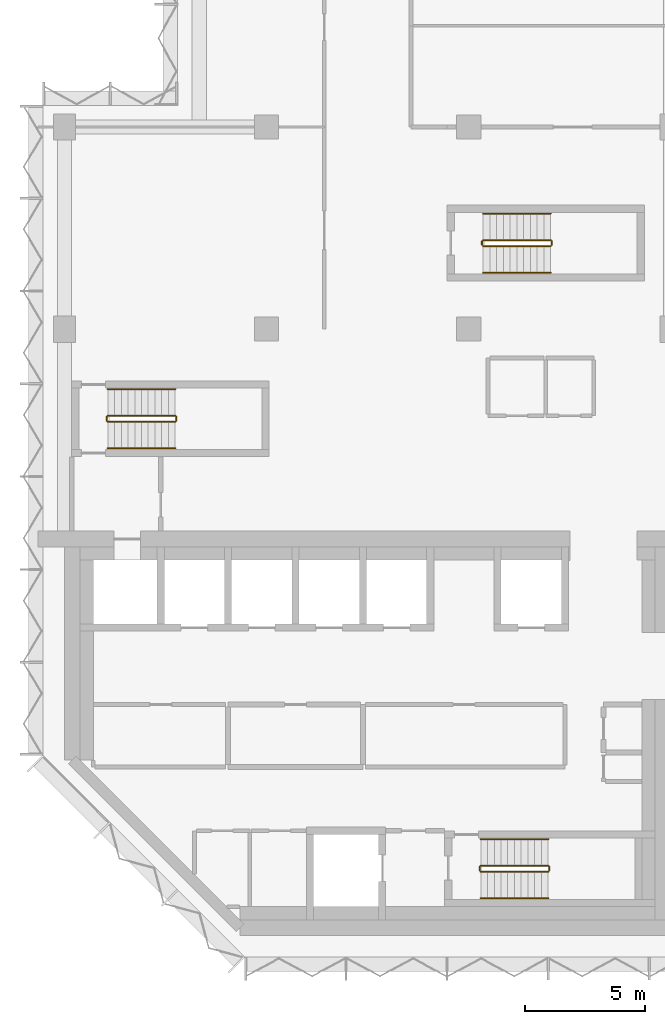
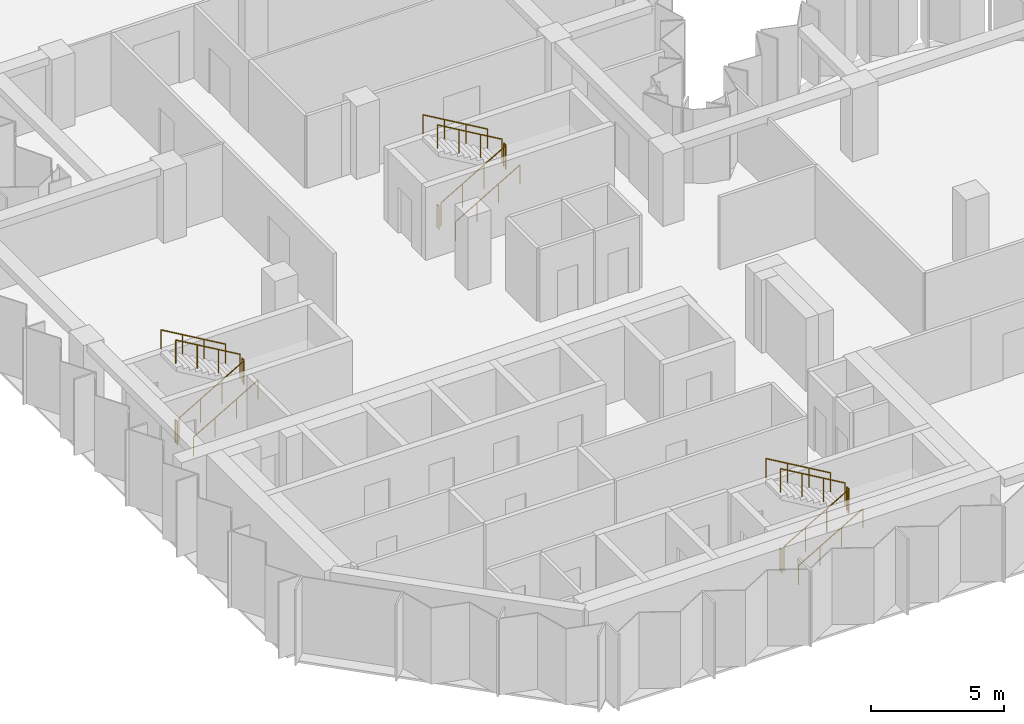
# One storey, part 12 of 14: 18 railings.
"""IFC4 building model written with IfcOpenShell, lengths in metres."""

from ifc_helpers import new_model, si_unit, direction, frame, origin, origin_2d, place, context, subcontext, project, spatial, circle, extrude, material, type_object, element, save


model = new_model("IFC4")

# Units and contexts
model_context = context("Model", 3, precision=1e-05, world=origin(), true_north=direction((0.0, 1.0)))
body_context = subcontext(model_context, "Body", "Model", "MODEL_VIEW")
ifc_project = project(units=[si_unit("LENGTHUNIT", "METRE"), si_unit("AREAUNIT", "SQUARE_METRE"), si_unit("VOLUMEUNIT", "CUBIC_METRE"), si_unit("PLANEANGLEUNIT", "RADIAN"), si_unit("MASSUNIT", "GRAM", prefix="KILO")], contexts=[model_context])

# Site, building, storey
site_placement = place(None, origin())
site = spatial("IfcSite", under=ifc_project, at=site_placement, CompositionType="ELEMENT")
building_placement = place(site_placement, origin())
building = spatial("IfcBuilding", under=site, at=building_placement, Name="Brevane Broadcast Tower", CompositionType="ELEMENT")
storey_placement = place(building_placement, frame((0.0, 0.0, 184.800048828125)))
storey = spatial("IfcBuildingStorey", under=building, at=storey_placement, Name="L46", CompositionType="ELEMENT", Elevation=184.800048828125)

# Railings
ifc_material = material(Name="Steel S355", Category="steel")
railing_type_1 = type_object("IfcRailingType", Name="Exit stair guard", PredefinedType="GUARDRAIL", material=ifc_material)
railing_1_placement = place(storey_placement, frame((1.800048828125, 21.35009765625, 0.16357421875)))
element("IfcRailing", 1, at=railing_1_placement, inside=storey, type_object=railing_type_1, Name="L46 ST-1 stair guard 1", PredefinedType="GUARDRAIL", context=body_context, shape_type="SweptSolid", body=[
    extrude(circle(Radius=0.02392578125, at=origin_2d()), frame((0.0, 0.0, 1.076171875), z_axis=(0.863360870873, 0.0, 0.504586966384), x_axis=(0.0, 1.0, 0.0)), (0.0, 0.0, 1.0), 3.2431640625),
    extrude(circle(Radius=0.02099609375, at=origin_2d()), origin(), (0.0, 0.0, 1.0), 1.052001953125),
    extrude(circle(Radius=0.02099609375, at=origin_2d()), frame((0.933349609375, 0.0, 0.54541015625)), (0.0, 0.0, 1.0), 1.052001953125),
    extrude(circle(Radius=0.02099609375, at=origin_2d()), frame((1.86669921875, 0.0, 1.091064453125)), (0.0, 0.0, 1.0), 1.052001953125),
    extrude(circle(Radius=0.02099609375, at=origin_2d()), frame((2.800048828125, 0.0, 1.636474609375)), (0.0, 0.0, 1.0), 1.052001953125),
])
railing_2_placement = place(storey_placement, frame((4.64990234375, 21.39990234375, 1.800048828125)))
element("IfcRailing", 2, at=railing_2_placement, inside=storey, type_object=railing_type_1, Name="L46 ST-1 stair guard 2", PredefinedType="GUARDRAIL", context=body_context, shape_type="SweptSolid", body=[
    extrude(circle(Radius=0.02392578125, at=origin_2d()), frame((0.0, 0.0, 1.076171875), z_axis=(0.0, 1.0, 0.0), x_axis=(-1.0, 0.0, 0.0)), (0.0, 0.0, 1.0), 0.150146484375),
    extrude(circle(Radius=0.02099609375, at=origin_2d()), origin(), (0.0, 0.0, 1.0), 1.052001953125),
    extrude(circle(Radius=0.02099609375, at=origin_2d()), frame((0.0, 0.150146484375, 0.0)), (0.0, 0.0, 1.0), 1.052001953125),
])
railing_3_placement = place(storey_placement, frame((4.60009765625, 21.60009765625, 1.963623046875)))
element("IfcRailing", 3, at=railing_3_placement, inside=storey, type_object=railing_type_1, Name="L46 ST-1 stair guard 3", PredefinedType="GUARDRAIL", context=body_context, shape_type="SweptSolid", body=[
    extrude(circle(Radius=0.02392578125, at=origin_2d()), frame((0.0, 0.0, 1.076171875), z_axis=(-0.863393664356, 0.0, 0.504530851732), x_axis=(0.0, -1.0, 0.0)), (0.0, 0.0, 1.0), 3.2431640625),
    extrude(circle(Radius=0.02099609375, at=origin_2d()), origin(), (0.0, 0.0, 1.0), 1.052001953125),
    extrude(circle(Radius=0.02099609375, at=origin_2d()), frame((-0.933349609375, 0.0, 0.54541015625)), (0.0, 0.0, 1.0), 1.052001953125),
    extrude(circle(Radius=0.02099609375, at=origin_2d()), frame((-1.86669921875, 0.0, 1.0908203125)), (0.0, 0.0, 1.0), 1.052001953125),
    extrude(circle(Radius=0.02099609375, at=origin_2d()), frame((-2.800048828125, 0.0, 1.63623046875)), (0.0, 0.0, 1.0), 1.052001953125),
])
railing_4_placement = place(storey_placement, frame((1.75, 21.39990234375, 0.0)))
element("IfcRailing", 4, at=railing_4_placement, inside=storey, type_object=railing_type_1, Name="L46 ST-1 stair guard 4", PredefinedType="GUARDRAIL", context=body_context, shape_type="SweptSolid", body=[
    extrude(circle(Radius=0.02392578125, at=origin_2d()), frame((0.0, 0.0, 1.076171875), z_axis=(0.0, 1.0, 0.0), x_axis=(-1.0, 0.0, 0.0)), (0.0, 0.0, 1.0), 0.150146484375),
    extrude(circle(Radius=0.02099609375, at=origin_2d()), origin(), (0.0, 0.0, 1.0), 1.052001953125),
    extrude(circle(Radius=0.02099609375, at=origin_2d()), frame((0.0, 0.150146484375, 0.0)), (0.0, 0.0, 1.0), 1.052001953125),
])
railing_5_placement = place(storey_placement, frame((17.300048828125, 2.64990234375, 0.16357421875)))
element("IfcRailing", 5, at=railing_5_placement, inside=storey, type_object=railing_type_1, Name="L46 ST-2 stair guard 1", PredefinedType="GUARDRAIL", context=body_context, shape_type="SweptSolid", body=[
    extrude(circle(Radius=0.02392578125, at=origin_2d()), frame((0.0, 0.0, 1.076171875), z_axis=(0.863360870873, 0.0, 0.504586966384), x_axis=(0.0, 1.0, 0.0)), (0.0, 0.0, 1.0), 3.2431640625),
    extrude(circle(Radius=0.02099609375, at=origin_2d()), origin(), (0.0, 0.0, 1.0), 1.052001953125),
    extrude(circle(Radius=0.02099609375, at=origin_2d()), frame((0.933349609375, 0.0, 0.54541015625)), (0.0, 0.0, 1.0), 1.052001953125),
    extrude(circle(Radius=0.02099609375, at=origin_2d()), frame((1.86669921875, 0.0, 1.091064453125)), (0.0, 0.0, 1.0), 1.052001953125),
    extrude(circle(Radius=0.02099609375, at=origin_2d()), frame((2.800048828125, 0.0, 1.636474609375)), (0.0, 0.0, 1.0), 1.052001953125),
])
railing_6_placement = place(storey_placement, frame((20.14990234375, 2.699951171875, 1.800048828125)))
element("IfcRailing", 6, at=railing_6_placement, inside=storey, type_object=railing_type_1, Name="L46 ST-2 stair guard 2", PredefinedType="GUARDRAIL", context=body_context, shape_type="SweptSolid", body=[
    extrude(circle(Radius=0.02392578125, at=origin_2d()), frame((0.0, 0.0, 1.076171875), z_axis=(0.0, 1.0, 0.0), x_axis=(-1.0, 0.0, 0.0)), (0.0, 0.0, 1.0), 0.150146484375),
    extrude(circle(Radius=0.02099609375, at=origin_2d()), origin(), (0.0, 0.0, 1.0), 1.052001953125),
    extrude(circle(Radius=0.02099609375, at=origin_2d()), frame((0.0, 0.150146484375, 0.0)), (0.0, 0.0, 1.0), 1.052001953125),
])
railing_7_placement = place(storey_placement, frame((20.10009765625, 2.89990234375, 1.963623046875)))
element("IfcRailing", 7, at=railing_7_placement, inside=storey, type_object=railing_type_1, Name="L46 ST-2 stair guard 3", PredefinedType="GUARDRAIL", context=body_context, shape_type="SweptSolid", body=[
    extrude(circle(Radius=0.02392578125, at=origin_2d()), frame((0.0, 0.0, 1.076171875), z_axis=(-0.863393664356, 0.0, 0.504530851732), x_axis=(0.0, -1.0, 0.0)), (0.0, 0.0, 1.0), 3.2431640625),
    extrude(circle(Radius=0.02099609375, at=origin_2d()), origin(), (0.0, 0.0, 1.0), 1.052001953125),
    extrude(circle(Radius=0.02099609375, at=origin_2d()), frame((-0.933349609375, 0.0, 0.54541015625)), (0.0, 0.0, 1.0), 1.052001953125),
    extrude(circle(Radius=0.02099609375, at=origin_2d()), frame((-1.86669921875, 0.0, 1.0908203125)), (0.0, 0.0, 1.0), 1.052001953125),
    extrude(circle(Radius=0.02099609375, at=origin_2d()), frame((-2.800048828125, 0.0, 1.63623046875)), (0.0, 0.0, 1.0), 1.052001953125),
])
railing_8_placement = place(storey_placement, frame((17.25, 2.699951171875, 0.0)))
element("IfcRailing", 8, at=railing_8_placement, inside=storey, type_object=railing_type_1, Name="L46 ST-2 stair guard 4", PredefinedType="GUARDRAIL", context=body_context, shape_type="SweptSolid", body=[
    extrude(circle(Radius=0.02392578125, at=origin_2d()), frame((0.0, 0.0, 1.076171875), z_axis=(0.0, 1.0, 0.0), x_axis=(-1.0, 0.0, 0.0)), (0.0, 0.0, 1.0), 0.150146484375),
    extrude(circle(Radius=0.02099609375, at=origin_2d()), origin(), (0.0, 0.0, 1.0), 1.052001953125),
    extrude(circle(Radius=0.02099609375, at=origin_2d()), frame((0.0, 0.150146484375, 0.0)), (0.0, 0.0, 1.0), 1.052001953125),
])
railing_9_placement = place(storey_placement, frame((17.39990234375, 28.64990234375, 0.16357421875)))
element("IfcRailing", 9, at=railing_9_placement, inside=storey, type_object=railing_type_1, Name="L46 ST-3 stair guard 1", PredefinedType="GUARDRAIL", context=body_context, shape_type="SweptSolid", body=[
    extrude(circle(Radius=0.02392578125, at=origin_2d()), frame((0.0, 0.0, 1.076171875), z_axis=(0.863360870873, 0.0, 0.504586966384), x_axis=(0.0, 1.0, 0.0)), (0.0, 0.0, 1.0), 3.2431640625),
    extrude(circle(Radius=0.02099609375, at=origin_2d()), origin(), (0.0, 0.0, 1.0), 1.052001953125),
    extrude(circle(Radius=0.02099609375, at=origin_2d()), frame((0.933349609375, 0.0, 0.54541015625)), (0.0, 0.0, 1.0), 1.052001953125),
    extrude(circle(Radius=0.02099609375, at=origin_2d()), frame((1.86669921875, 0.0, 1.091064453125)), (0.0, 0.0, 1.0), 1.052001953125),
    extrude(circle(Radius=0.02099609375, at=origin_2d()), frame((2.800048828125, 0.0, 1.636474609375)), (0.0, 0.0, 1.0), 1.052001953125),
])
railing_10_placement = place(storey_placement, frame((20.25, 28.699951171875, 1.800048828125)))
element("IfcRailing", 10, at=railing_10_placement, inside=storey, type_object=railing_type_1, Name="L46 ST-3 stair guard 2", PredefinedType="GUARDRAIL", context=body_context, shape_type="SweptSolid", body=[
    extrude(circle(Radius=0.02392578125, at=origin_2d()), frame((0.0, 0.0, 1.076171875), z_axis=(0.0, 1.0, 0.0), x_axis=(-1.0, 0.0, 0.0)), (0.0, 0.0, 1.0), 0.150146484375),
    extrude(circle(Radius=0.02099609375, at=origin_2d()), origin(), (0.0, 0.0, 1.0), 1.052001953125),
    extrude(circle(Radius=0.02099609375, at=origin_2d()), frame((0.0, 0.150146484375, 0.0)), (0.0, 0.0, 1.0), 1.052001953125),
])
railing_11_placement = place(storey_placement, frame((20.199951171875, 28.89990234375, 1.963623046875)))
element("IfcRailing", 11, at=railing_11_placement, inside=storey, type_object=railing_type_1, Name="L46 ST-3 stair guard 3", PredefinedType="GUARDRAIL", context=body_context, shape_type="SweptSolid", body=[
    extrude(circle(Radius=0.02392578125, at=origin_2d()), frame((0.0, 0.0, 1.076171875), z_axis=(-0.863393664356, 0.0, 0.504530851732), x_axis=(0.0, -1.0, 0.0)), (0.0, 0.0, 1.0), 3.2431640625),
    extrude(circle(Radius=0.02099609375, at=origin_2d()), origin(), (0.0, 0.0, 1.0), 1.052001953125),
    extrude(circle(Radius=0.02099609375, at=origin_2d()), frame((-0.933349609375, 0.0, 0.54541015625)), (0.0, 0.0, 1.0), 1.052001953125),
    extrude(circle(Radius=0.02099609375, at=origin_2d()), frame((-1.86669921875, 0.0, 1.0908203125)), (0.0, 0.0, 1.0), 1.052001953125),
    extrude(circle(Radius=0.02099609375, at=origin_2d()), frame((-2.800048828125, 0.0, 1.63623046875)), (0.0, 0.0, 1.0), 1.052001953125),
])
railing_12_placement = place(storey_placement, frame((17.35009765625, 28.699951171875, 0.0)))
element("IfcRailing", 12, at=railing_12_placement, inside=storey, type_object=railing_type_1, Name="L46 ST-3 stair guard 4", PredefinedType="GUARDRAIL", context=body_context, shape_type="SweptSolid", body=[
    extrude(circle(Radius=0.02392578125, at=origin_2d()), frame((0.0, 0.0, 1.076171875), z_axis=(0.0, 1.0, 0.0), x_axis=(-1.0, 0.0, 0.0)), (0.0, 0.0, 1.0), 0.150146484375),
    extrude(circle(Radius=0.02099609375, at=origin_2d()), origin(), (0.0, 0.0, 1.0), 1.052001953125),
    extrude(circle(Radius=0.02099609375, at=origin_2d()), frame((0.0, 0.150146484375, 0.0)), (0.0, 0.0, 1.0), 1.052001953125),
])
railing_type_2 = type_object("IfcRailingType", Name="Exit stair handrail", PredefinedType="HANDRAIL", material=ifc_material)
railing_13_placement = place(storey_placement, frame((1.800048828125, 20.25, 0.16357421875)))
element("IfcRailing", 13, at=railing_13_placement, inside=storey, type_object=railing_type_2, Name="L46 ST-1 stair handrail 1", PredefinedType="HANDRAIL", context=body_context, shape_type="SweptSolid", body=[
    extrude(circle(Radius=0.02392578125, at=origin_2d()), frame((0.0, 0.0, 0.8759765625), z_axis=(0.863360870873, 0.0, 0.504586966384), x_axis=(0.0, 1.0, 0.0)), (0.0, 0.0, 1.0), 3.2431640625),
    extrude(circle(Radius=0.02099609375, at=origin_2d()), origin(), (0.0, 0.0, 1.0), 0.851806640625),
    extrude(circle(Radius=0.02099609375, at=origin_2d()), frame((0.933349609375, 0.0, 0.54541015625)), (0.0, 0.0, 1.0), 0.851806640625),
    extrude(circle(Radius=0.02099609375, at=origin_2d()), frame((1.86669921875, 0.0, 1.091064453125)), (0.0, 0.0, 1.0), 0.851806640625),
    extrude(circle(Radius=0.02099609375, at=origin_2d()), frame((2.800048828125, 0.0, 1.636474609375)), (0.0, 0.0, 1.0), 0.851806640625),
])
railing_14_placement = place(storey_placement, frame((4.60009765625, 22.699951171875, 1.963623046875)))
element("IfcRailing", 14, at=railing_14_placement, inside=storey, type_object=railing_type_2, Name="L46 ST-1 stair handrail 2", PredefinedType="HANDRAIL", context=body_context, shape_type="SweptSolid", body=[
    extrude(circle(Radius=0.02392578125, at=origin_2d()), frame((0.0, 0.0, 0.8759765625), z_axis=(-0.863393664356, 0.0, 0.504530851732), x_axis=(0.0, -1.0, 0.0)), (0.0, 0.0, 1.0), 3.2431640625),
    extrude(circle(Radius=0.02099609375, at=origin_2d()), origin(), (0.0, 0.0, 1.0), 0.851806640625),
    extrude(circle(Radius=0.02099609375, at=origin_2d()), frame((-0.933349609375, 0.0, 0.54541015625)), (0.0, 0.0, 1.0), 0.851806640625),
    extrude(circle(Radius=0.02099609375, at=origin_2d()), frame((-1.86669921875, 0.0, 1.0908203125)), (0.0, 0.0, 1.0), 0.851806640625),
    extrude(circle(Radius=0.02099609375, at=origin_2d()), frame((-2.800048828125, 0.0, 1.63623046875)), (0.0, 0.0, 1.0), 0.851806640625),
])
railing_15_placement = place(storey_placement, frame((17.300048828125, 1.550048828125, 0.16357421875)))
element("IfcRailing", 15, at=railing_15_placement, inside=storey, type_object=railing_type_2, Name="L46 ST-2 stair handrail 1", PredefinedType="HANDRAIL", context=body_context, shape_type="SweptSolid", body=[
    extrude(circle(Radius=0.02392578125, at=origin_2d()), frame((0.0, 0.0, 0.8759765625), z_axis=(0.863360870873, 0.0, 0.504586966384), x_axis=(0.0, 1.0, 0.0)), (0.0, 0.0, 1.0), 3.2431640625),
    extrude(circle(Radius=0.02099609375, at=origin_2d()), origin(), (0.0, 0.0, 1.0), 0.851806640625),
    extrude(circle(Radius=0.02099609375, at=origin_2d()), frame((0.933349609375, 0.0, 0.54541015625)), (0.0, 0.0, 1.0), 0.851806640625),
    extrude(circle(Radius=0.02099609375, at=origin_2d()), frame((1.86669921875, 0.0, 1.091064453125)), (0.0, 0.0, 1.0), 0.851806640625),
    extrude(circle(Radius=0.02099609375, at=origin_2d()), frame((2.800048828125, 0.0, 1.636474609375)), (0.0, 0.0, 1.0), 0.851806640625),
])
railing_16_placement = place(storey_placement, frame((20.10009765625, 4.0, 1.963623046875)))
element("IfcRailing", 16, at=railing_16_placement, inside=storey, type_object=railing_type_2, Name="L46 ST-2 stair handrail 2", PredefinedType="HANDRAIL", context=body_context, shape_type="SweptSolid", body=[
    extrude(circle(Radius=0.02392578125, at=origin_2d()), frame((0.0, 0.0, 0.8759765625), z_axis=(-0.863393664356, 0.0, 0.504530851732), x_axis=(0.0, -1.0, 0.0)), (0.0, 0.0, 1.0), 3.2431640625),
    extrude(circle(Radius=0.02099609375, at=origin_2d()), origin(), (0.0, 0.0, 1.0), 0.851806640625),
    extrude(circle(Radius=0.02099609375, at=origin_2d()), frame((-0.933349609375, 0.0, 0.54541015625)), (0.0, 0.0, 1.0), 0.851806640625),
    extrude(circle(Radius=0.02099609375, at=origin_2d()), frame((-1.86669921875, 0.0, 1.0908203125)), (0.0, 0.0, 1.0), 0.851806640625),
    extrude(circle(Radius=0.02099609375, at=origin_2d()), frame((-2.800048828125, 0.0, 1.63623046875)), (0.0, 0.0, 1.0), 0.851806640625),
])
railing_17_placement = place(storey_placement, frame((17.39990234375, 27.550048828125, 0.16357421875)))
element("IfcRailing", 17, at=railing_17_placement, inside=storey, type_object=railing_type_2, Name="L46 ST-3 stair handrail 1", PredefinedType="HANDRAIL", context=body_context, shape_type="SweptSolid", body=[
    extrude(circle(Radius=0.02392578125, at=origin_2d()), frame((0.0, 0.0, 0.8759765625), z_axis=(0.863360870873, 0.0, 0.504586966384), x_axis=(0.0, 1.0, 0.0)), (0.0, 0.0, 1.0), 3.2431640625),
    extrude(circle(Radius=0.02099609375, at=origin_2d()), origin(), (0.0, 0.0, 1.0), 0.851806640625),
    extrude(circle(Radius=0.02099609375, at=origin_2d()), frame((0.933349609375, 0.0, 0.54541015625)), (0.0, 0.0, 1.0), 0.851806640625),
    extrude(circle(Radius=0.02099609375, at=origin_2d()), frame((1.86669921875, 0.0, 1.091064453125)), (0.0, 0.0, 1.0), 0.851806640625),
    extrude(circle(Radius=0.02099609375, at=origin_2d()), frame((2.800048828125, 0.0, 1.636474609375)), (0.0, 0.0, 1.0), 0.851806640625),
])
railing_18_placement = place(storey_placement, frame((20.199951171875, 30.0, 1.963623046875)))
element("IfcRailing", 18, at=railing_18_placement, inside=storey, type_object=railing_type_2, Name="L46 ST-3 stair handrail 2", PredefinedType="HANDRAIL", context=body_context, shape_type="SweptSolid", body=[
    extrude(circle(Radius=0.02392578125, at=origin_2d()), frame((0.0, 0.0, 0.8759765625), z_axis=(-0.863393664356, 0.0, 0.504530851732), x_axis=(0.0, -1.0, 0.0)), (0.0, 0.0, 1.0), 3.2431640625),
    extrude(circle(Radius=0.02099609375, at=origin_2d()), origin(), (0.0, 0.0, 1.0), 0.851806640625),
    extrude(circle(Radius=0.02099609375, at=origin_2d()), frame((-0.933349609375, 0.0, 0.54541015625)), (0.0, 0.0, 1.0), 0.851806640625),
    extrude(circle(Radius=0.02099609375, at=origin_2d()), frame((-1.86669921875, 0.0, 1.0908203125)), (0.0, 0.0, 1.0), 0.851806640625),
    extrude(circle(Radius=0.02099609375, at=origin_2d()), frame((-2.800048828125, 0.0, 1.63623046875)), (0.0, 0.0, 1.0), 0.851806640625),
])

save(model, "model.ifc")
